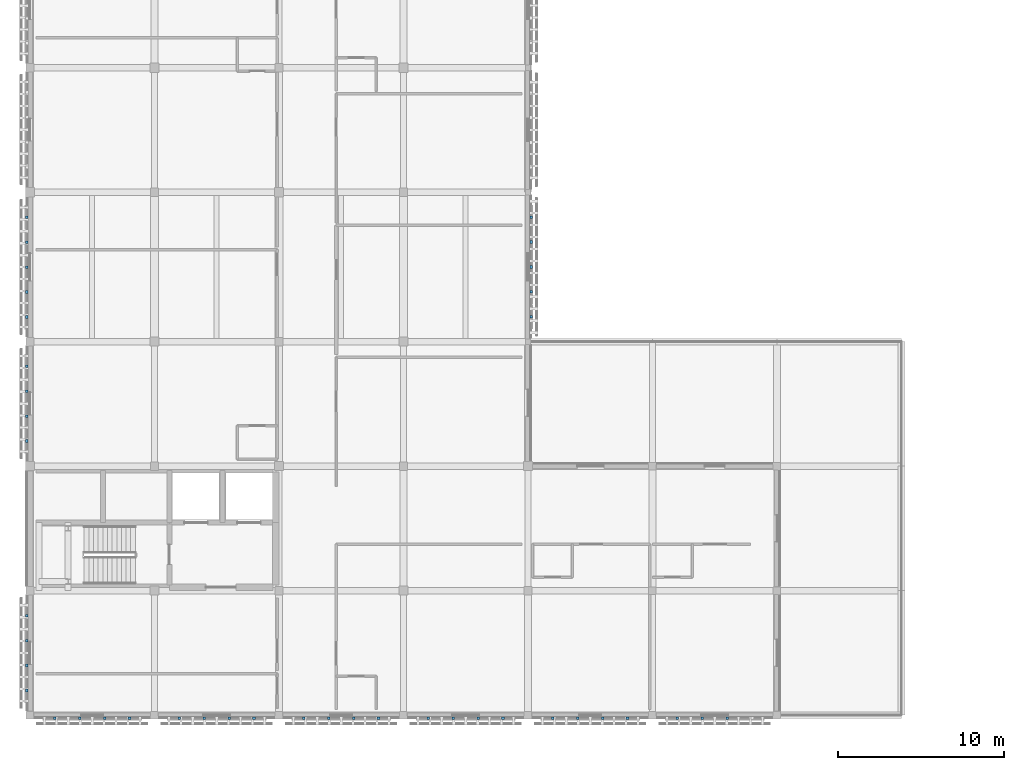
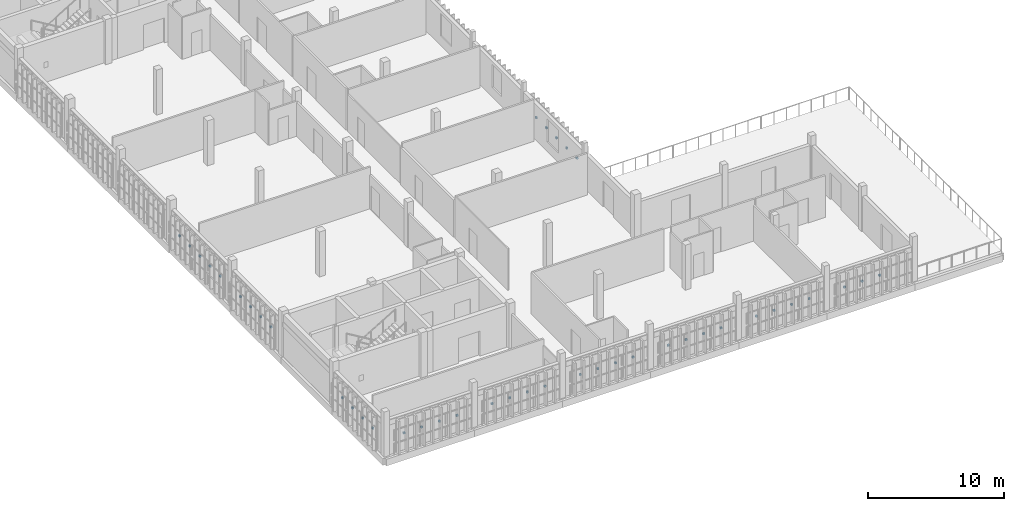
# One storey, part 10 of 17: 41 discrete accessories.
"""IFC4 building model written with IfcOpenShell, lengths in metres."""

from ifc_helpers import new_model, si_unit, direction, frame, origin, origin_2d, place, context, subcontext, project, spatial, rectangle, extrude, material, type_object, element, save


model = new_model("IFC4")

# Units and contexts
model_context = context("Model", 3, precision=1e-05, world=origin(), true_north=direction((0.0, 1.0)))
body_context = subcontext(model_context, "Body", "Model", "MODEL_VIEW")
ifc_project = project(units=[si_unit("LENGTHUNIT", "METRE"), si_unit("AREAUNIT", "SQUARE_METRE"), si_unit("VOLUMEUNIT", "CUBIC_METRE"), si_unit("PLANEANGLEUNIT", "RADIAN"), si_unit("MASSUNIT", "GRAM", prefix="KILO")], contexts=[model_context])

# Site, building, storey
site_placement = place(None, origin())
site = spatial("IfcSite", under=ifc_project, at=site_placement, CompositionType="ELEMENT")
building_placement = place(site_placement, origin())
building = spatial("IfcBuilding", under=site, at=building_placement, Name="Dalvernix Boulevard General Hospital", CompositionType="ELEMENT")
storey_placement = place(building_placement, frame((0.0, 0.0, 25.949951171875)))
storey = spatial("IfcBuildingStorey", under=building, at=storey_placement, Name="L06", CompositionType="ELEMENT", Elevation=25.949951171875)

# Discrete accessories
ifc_material = material(Name="Stainless steel 1.4404 fixing bracket", Category="steel")
discrete_accessory_type = type_object("IfcDiscreteAccessoryType", Name="ACC-BRK-01", PredefinedType="BRACKET", material=ifc_material)
for number, where, z_axis, x_axis, name in (
    (1, (6.0, -0.18994140625, 1.5048828125), (0.0, 0.0, 1.0), (-1.0, 0.0, 0.0), "L06 screen support bracket 1"),
    (2, (4.5, -0.18994140625, 1.5048828125), (0.0, 0.0, 1.0), (-1.0, 0.0, 0.0), "L06 screen support bracket 2"),
    (3, (3.0, -0.18994140625, 1.5048828125), (0.0, 0.0, 1.0), (-1.0, 0.0, 0.0), "L06 screen support bracket 3"),
    (4, (1.5, -0.18994140625, 1.5048828125), (0.0, 0.0, 1.0), (-1.0, 0.0, 0.0), "L06 screen support bracket 4"),
    (5, (-0.18994140625, 1.487548828125, 1.5048828125), (0.0, 0.0, 1.0), (0.0, 1.0, 0.0), "L06 screen support bracket 1"),
    (6, (-0.18994140625, 2.987548828125, 1.5048828125), (0.0, 0.0, 1.0), (0.0, 1.0, 0.0), "L06 screen support bracket 2"),
    (7, (-0.18994140625, 4.487548828125, 1.5048828125), (0.0, 0.0, 1.0), (0.0, 1.0, 0.0), "L06 screen support bracket 3"),
    (8, (-0.18994140625, 5.987548828125, 1.5048828125), (0.0, 0.0, 1.0), (0.0, 1.0, 0.0), "L06 screen support bracket 4"),
    (9, (-0.18994140625, 16.512451171875, 1.5048828125), (0.0, 0.0, 1.0), (0.0, 1.0, 0.0), "L06 screen support bracket 1"),
    (10, (-0.18994140625, 18.012451171875, 1.5048828125), (0.0, 0.0, 1.0), (0.0, 1.0, 0.0), "L06 screen support bracket 2"),
    (11, (-0.18994140625, 19.512451171875, 1.5048828125), (0.0, 0.0, 1.0), (0.0, 1.0, 0.0), "L06 screen support bracket 3"),
    (12, (-0.18994140625, 21.012451171875, 1.5048828125), (0.0, 0.0, 1.0), (0.0, 1.0, 0.0), "L06 screen support bracket 4"),
    (13, (-0.18994140625, 23.987548828125, 1.5302734375), (0.0, 0.0, 1.0), (0.0, 1.0, 0.0), "L06 screen support bracket 1"),
    (14, (-0.18994140625, 25.487548828125, 1.5302734375), (0.0, 0.0, 1.0), (0.0, 1.0, 0.0), "L06 screen support bracket 2"),
    (15, (-0.18994140625, 26.987548828125, 1.5302734375), (0.0, 0.0, 1.0), (0.0, 1.0, 0.0), "L06 screen support bracket 3"),
    (16, (-0.18994140625, 28.487548828125, 1.5302734375), (0.0, 0.0, 1.0), (0.0, 1.0, 0.0), "L06 screen support bracket 4"),
    (17, (-0.18994140625, 29.987548828125, 1.5302734375), (0.0, 0.0, 1.0), (0.0, 1.0, 0.0), "L06 screen support bracket 5"),
    (18, (13.5, -0.18994140625, 1.5048828125), (0.0, 0.0, 1.0), (-1.0, 0.0, 0.0), "L06 screen support bracket 1"),
    (19, (12.0, -0.18994140625, 1.5048828125), (0.0, 0.0, 1.0), (-1.0, 0.0, 0.0), "L06 screen support bracket 2"),
    (20, (10.5, -0.18994140625, 1.5048828125), (0.0, 0.0, 1.0), (-1.0, 0.0, 0.0), "L06 screen support bracket 3"),
    (21, (9.0, -0.18994140625, 1.5048828125), (0.0, 0.0, 1.0), (-1.0, 0.0, 0.0), "L06 screen support bracket 4"),
    (22, (21.0, -0.18994140625, 1.5048828125), (0.0, 0.0, 1.0), (-1.0, 0.0, 0.0), "L06 screen support bracket 1"),
    (23, (19.5, -0.18994140625, 1.5048828125), (0.0, 0.0, 1.0), (-1.0, 0.0, 0.0), "L06 screen support bracket 2"),
    (24, (18.0, -0.18994140625, 1.5048828125), (0.0, 0.0, 1.0), (-1.0, 0.0, 0.0), "L06 screen support bracket 3"),
    (25, (16.5, -0.18994140625, 1.5048828125), (0.0, 0.0, 1.0), (-1.0, 0.0, 0.0), "L06 screen support bracket 4"),
    (26, (28.5, -0.18994140625, 1.5048828125), (0.0, 0.0, 1.0), (-1.0, 0.0, 0.0), "L06 screen support bracket 1"),
    (27, (27.0, -0.18994140625, 1.5048828125), (0.0, 0.0, 1.0), (-1.0, 0.0, 0.0), "L06 screen support bracket 2"),
    (28, (25.5, -0.18994140625, 1.5048828125), (0.0, 0.0, 1.0), (-1.0, 0.0, 0.0), "L06 screen support bracket 3"),
    (29, (24.0, -0.18994140625, 1.5048828125), (0.0, 0.0, 1.0), (-1.0, 0.0, 0.0), "L06 screen support bracket 4"),
    (30, (30.18994140625, 30.0, 1.5302734375), (0.0, 0.0, 1.0), (0.0, -1.0, 0.0), "L06 screen support bracket 1"),
    (31, (30.18994140625, 28.5, 1.5302734375), (0.0, 0.0, 1.0), (0.0, -1.0, 0.0), "L06 screen support bracket 2"),
    (32, (30.18994140625, 27.0, 1.5302734375), (0.0, 0.0, 1.0), (0.0, -1.0, 0.0), "L06 screen support bracket 3"),
    (33, (30.18994140625, 25.5, 1.5302734375), (0.0, 0.0, 1.0), (0.0, -1.0, 0.0), "L06 screen support bracket 4"),
    (34, (30.18994140625, 24.0, 1.5302734375), (0.0, 0.0, 1.0), (0.0, -1.0, 0.0), "L06 screen support bracket 5"),
    (35, (36.0, -0.18994140625, 1.5048828125), (0.0, 0.0, 1.0), (-1.0, 0.0, 0.0), "L06 screen support bracket 1"),
    (36, (34.5, -0.18994140625, 1.5048828125), (0.0, 0.0, 1.0), (-1.0, 0.0, 0.0), "L06 screen support bracket 2"),
    (37, (33.0, -0.18994140625, 1.5048828125), (0.0, 0.0, 1.0), (-1.0, 0.0, 0.0), "L06 screen support bracket 3"),
    (38, (31.5, -0.18994140625, 1.5048828125), (0.0, 0.0, 1.0), (-1.0, 0.0, 0.0), "L06 screen support bracket 4"),
    (39, (42.0, -0.18994140625, 1.5048828125), (0.0, 0.0, 1.0), (-1.0, 0.0, 0.0), "L06 screen support bracket 2"),
    (40, (40.5, -0.18994140625, 1.5048828125), (0.0, 0.0, 1.0), (-1.0, 0.0, 0.0), "L06 screen support bracket 3"),
    (41, (39.0, -0.18994140625, 1.5048828125), (0.0, 0.0, 1.0), (-1.0, 0.0, 0.0), "L06 screen support bracket 4"),
):
    element("IfcDiscreteAccessory", number, at=place(storey_placement, frame(where, z_axis=z_axis, x_axis=x_axis)), inside=storey, type_object=discrete_accessory_type, Name=name, PredefinedType="BRACKET", context=body_context, shape_type="SweptSolid", body=[
        extrude(rectangle(XDim=0.159912109375, YDim=0.139892578125, at=origin_2d()), origin(), (0.0, 0.0, 1.0), 0.159912109375),
    ])

save(model, "model.ifc")
